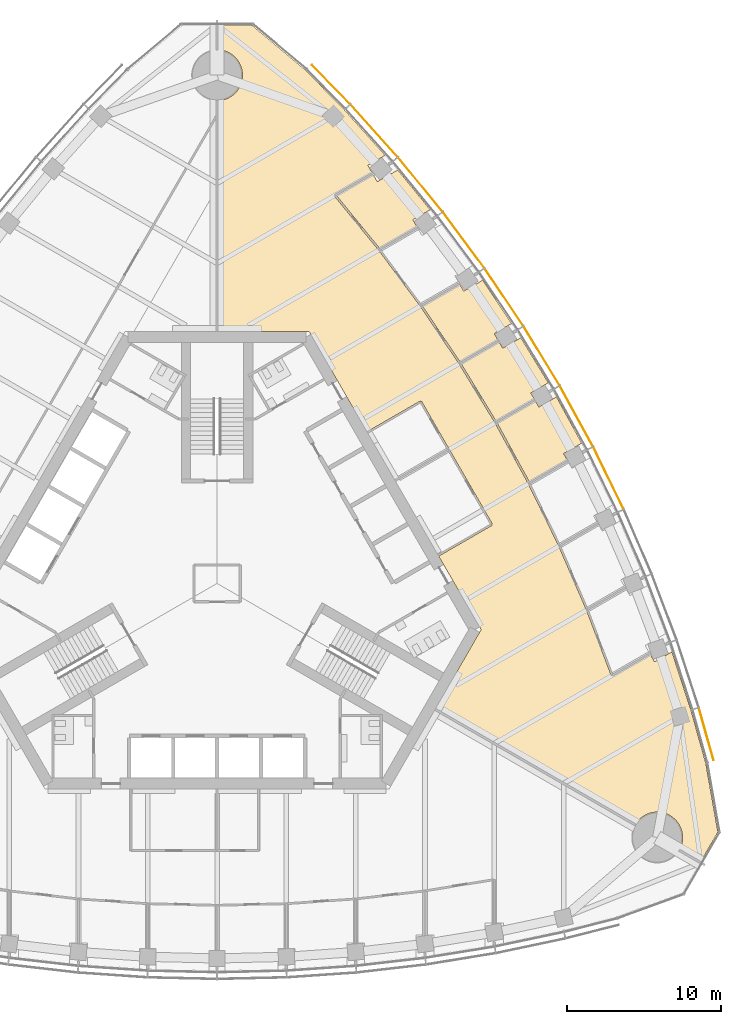
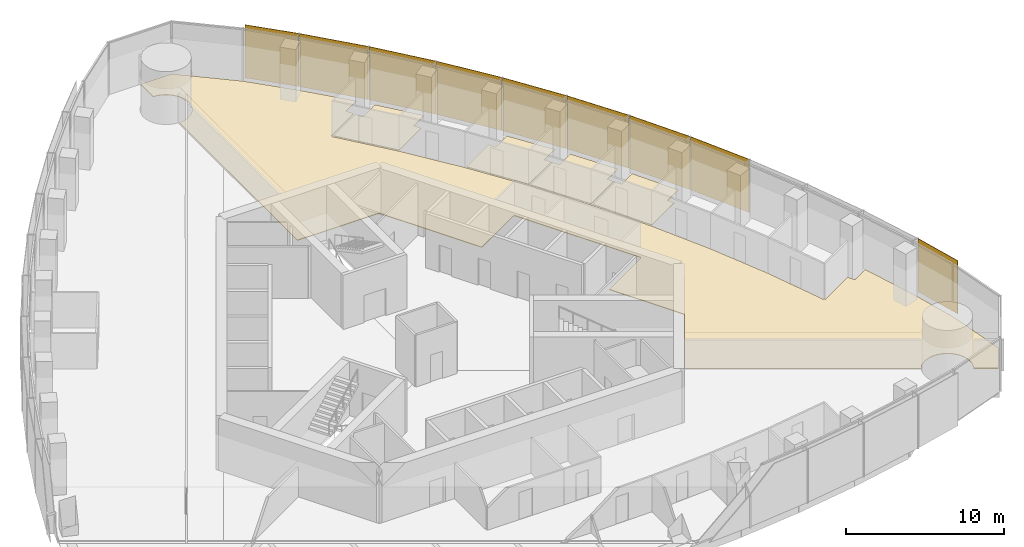
# One storey, part 18 of 20: 9 shading devices, 5 coverings.
"""IFC4 building model written with IfcOpenShell, lengths in metres."""

from ifc_helpers import new_model, si_unit, direction, frame, origin, origin_2d, place, context, subcontext, project, spatial, polyline, rectangle, outline, extrude, material, layer, layer_set, type_object, element, save


model = new_model("IFC4")

# Units and contexts
model_context = context("Model", 3, precision=1e-05, world=origin(), true_north=direction((0.0, 1.0)))
body_context = subcontext(model_context, "Body", "Model", "MODEL_VIEW")
ifc_project = project(units=[si_unit("LENGTHUNIT", "METRE"), si_unit("AREAUNIT", "SQUARE_METRE"), si_unit("VOLUMEUNIT", "CUBIC_METRE"), si_unit("PLANEANGLEUNIT", "RADIAN"), si_unit("MASSUNIT", "GRAM", prefix="KILO")], contexts=[model_context])

# Site, building, storey
site_placement = place(None, origin())
site = spatial("IfcSite", under=ifc_project, at=site_placement, CompositionType="ELEMENT")
building_placement = place(site_placement, origin())
building = spatial("IfcBuilding", under=site, at=building_placement, Name="Trefoil Bronze Tower", CompositionType="ELEMENT")
storey_placement = place(building_placement, frame((0.0, 0.0, 231.699951171875)))
storey = spatial("IfcBuildingStorey", under=building, at=storey_placement, Name="L53", CompositionType="ELEMENT", Elevation=231.699951171875)

# Shading devices
ifc_material_1 = material(Name="Perforated bronze sheet", Category="bronze")
ifc_layer_1 = layer(ifc_material_1, 0.0400390625)
ifc_layer_set_1 = layer_set([ifc_layer_1], Name="Bronze solar screen panel")
shading_device_type = type_object("IfcShadingDeviceType", Name="Bronze solar screen panel", PredefinedType="SHUTTER", material=ifc_layer_set_1)
shading_device_1_placement = place(storey_placement, frame((31.764892578125, -9.7890625, 0.050048828125), z_axis=(0.0, 0.0, 1.0), x_axis=(-0.270282222968, 0.962781138134, 0.0)))
element("IfcShadingDevice", 1, at=shading_device_1_placement, inside=storey, type_object=shading_device_type, Name="Solar screen CW-A L53 F2 bay 1", PredefinedType="SHUTTER", context=body_context, shape_type="SweptSolid", body=[
    extrude(rectangle(XDim=3.53369140625, YDim=0.0400390625, at=origin_2d()), origin(), (0.0, 0.0, 1.0), 4.10009765625),
])
shading_device_2_placement = place(storey_placement, frame((25.4169921875, 6.83740234375, 0.050048828125), z_axis=(0.0, 0.0, 1.0), x_axis=(-0.439129033334, 0.898424004623, 0.0)))
element("IfcShadingDevice", 2, at=shading_device_2_placement, inside=storey, type_object=shading_device_type, Name="Solar screen CW-A L53 F2 bay 5", PredefinedType="SHUTTER", context=body_context, shape_type="SweptSolid", body=[
    extrude(rectangle(XDim=4.480712890625, YDim=0.0400390625, at=origin_2d()), origin(), (0.0, 0.0, 1.0), 4.10009765625),
])
for number, where, z_axis, x_axis, name in (
    (3, (23.3349609375, 10.860107421875, 0.050048828125), (0.0, 0.0, 1.0), (-0.479974003504, 0.877282711536, 0.0), "Solar screen CW-A L53 F2 bay 6"),
    (4, (21.07275390625, 14.77880859375, 0.050048828125), (0.0, 0.0, 1.0), (-0.519762112739, 0.854311035959, 0.0), "Solar screen CW-A L53 F2 bay 7"),
):
    element("IfcShadingDevice", number, at=place(storey_placement, frame(where, z_axis=z_axis, x_axis=x_axis)), inside=storey, type_object=shading_device_type, Name=name, PredefinedType="SHUTTER", context=body_context, shape_type="SweptSolid", body=[
        extrude(rectangle(XDim=4.47119140625, YDim=0.0400390625, at=origin_2d()), origin(), (0.0, 0.0, 1.0), 4.10009765625),
    ])
shading_device_3_placement = place(storey_placement, frame((18.6298828125, 18.59326171875, 0.050048828125), z_axis=(0.0, 0.0, 1.0), x_axis=(-0.558493494706, 0.829508900718, 0.0)))
element("IfcShadingDevice", 5, at=shading_device_3_placement, inside=storey, type_object=shading_device_type, Name="Solar screen CW-A L53 F2 bay 8", PredefinedType="SHUTTER", context=body_context, shape_type="SweptSolid", body=[
    extrude(rectangle(XDim=4.480712890625, YDim=0.0400390625, at=origin_2d()), origin(), (0.0, 0.0, 1.0), 4.10009765625),
])
shading_device_4_placement = place(storey_placement, frame((16.005615234375, 22.302734375, 0.050048828125), z_axis=(0.0, 0.0, 1.0), x_axis=(-0.596161525977, 0.802864518425, 0.0)))
element("IfcShadingDevice", 6, at=shading_device_4_placement, inside=storey, type_object=shading_device_type, Name="Solar screen CW-A L53 F2 bay 9", PredefinedType="SHUTTER", context=body_context, shape_type="SweptSolid", body=[
    extrude(rectangle(XDim=4.5, YDim=0.0400390625, at=origin_2d()), origin(), (0.0, 0.0, 1.0), 4.10009765625),
])
shading_device_5_placement = place(storey_placement, frame((13.197509765625, 25.90625, 0.050048828125), z_axis=(0.0, 0.0, 1.0), x_axis=(-0.63275261301, 0.774354008661, 0.0)))
element("IfcShadingDevice", 7, at=shading_device_5_placement, inside=storey, type_object=shading_device_type, Name="Solar screen CW-A L53 F2 bay 10", PredefinedType="SHUTTER", context=body_context, shape_type="SweptSolid", body=[
    extrude(rectangle(XDim=4.529296875, YDim=0.0400390625, at=origin_2d()), origin(), (0.0, 0.0, 1.0), 4.10009765625),
])
shading_device_6_placement = place(storey_placement, frame((10.20166015625, 29.401611328125, 0.050048828125), z_axis=(0.0, 0.0, 1.0), x_axis=(-0.668245744076, 0.743940606181, 0.0)))
element("IfcShadingDevice", 8, at=shading_device_6_placement, inside=storey, type_object=shading_device_type, Name="Solar screen CW-A L53 F2 bay 11", PredefinedType="SHUTTER", context=body_context, shape_type="SweptSolid", body=[
    extrude(rectangle(XDim=4.5693359375, YDim=0.0400390625, at=origin_2d()), origin(), (0.0, 0.0, 1.0), 4.10009765625),
])
shading_device_7_placement = place(storey_placement, frame((7.40478515625, 32.40380859375, 0.050048828125), z_axis=(0.0, 0.0, 1.0), x_axis=(-0.698651812425, 0.715461840349, 0.0)))
element("IfcShadingDevice", 9, at=shading_device_7_placement, inside=storey, type_object=shading_device_type, Name="Solar screen CW-A L53 F2 bay 12", PredefinedType="SHUTTER", context=body_context, shape_type="SweptSolid", body=[
    extrude(rectangle(XDim=3.53369140625, YDim=0.0400390625, at=origin_2d()), origin(), (0.0, 0.0, 1.0), 4.10009765625),
])

# Coverings
ifc_material_2 = material(Name="Raised access floor panels", Category="steel")
ifc_layer_2 = layer(ifc_material_2, 0.050048828125)
ifc_layer_set_2 = layer_set([ifc_layer_2], Name="Raised access floor 150")
covering_type = type_object("IfcCoveringType", Name="Raised access floor 150", PredefinedType="FLOORING", material=ifc_layer_set_2)
covering_1_placement = place(storey_placement, frame((0.0, 0.0, 0.10009765625)))
element("IfcCovering", 10, at=covering_1_placement, inside=storey, type_object=covering_type, Name="Raised floor L53 Office F2", PredefinedType="FLOORING", context=body_context, shape_type="SweptSolid", body=[
    extrude(outline(polyline([(13.84130859375, 24.264892578125), (12.71142578125, 23.61279296875), (12.978271484375, 23.150634765625), (10.555419921875, 21.751708984375), (7.747314453125, 25.188232421875), (10.130615234375, 26.564208984375), (10.4072265625, 26.084716796875), (11.730224609375, 26.848388671875), (13.84130859375, 24.264892578125)])), origin(), (0.0, 0.0, 1.0), 0.050048828125),
])
covering_2_placement = place(storey_placement, frame((0.0, 0.0, 0.10009765625)))
element("IfcCovering", 11, at=covering_2_placement, inside=storey, type_object=covering_type, Name="Raised floor L53 Office F2", PredefinedType="FLOORING", context=body_context, shape_type="SweptSolid", body=[
    extrude(outline(polyline([(19.1337890625, 16.877685546875), (17.997314453125, 16.221435546875), (18.27197265625, 15.74560546875), (18.266845703125, 15.742431640625), (18.23681640625, 15.79443359375), (15.779296875, 14.375732421875), (13.327392578125, 18.017578125), (15.760986328125, 19.422607421875), (16.01708984375, 18.979248046875), (17.24267578125, 19.686767578125), (19.1337890625, 16.877685546875)])), origin(), (0.0, 0.0, 1.0), 0.050048828125),
])
covering_3_placement = place(storey_placement, frame((0.0, 0.0, 0.10009765625)))
element("IfcCovering", 12, at=covering_3_placement, inside=storey, type_object=covering_type, Name="Raised floor L53 Office F2", PredefinedType="FLOORING", context=body_context, shape_type="SweptSolid", body=[
    extrude(outline(polyline([(20.607666015625, 11.897705078125), (20.57763671875, 11.94970703125), (18.121337890625, 10.531494140625), (15.843994140625, 14.2744140625), (18.296875, 15.690673828125), (18.266845703125, 15.742431640625), (18.27197265625, 15.74560546875), (18.546875, 15.26953125), (19.727294921875, 15.951171875), (21.507568359375, 13.02490234375), (20.36962890625, 12.367919921875), (20.6328125, 11.912353515625), (20.607666015625, 11.897705078125)])), origin(), (0.0, 0.0, 1.0), 0.050048828125),
])
covering_4_placement = place(storey_placement, frame((0.0, 0.0, 0.10009765625)))
element("IfcCovering", 13, at=covering_4_placement, inside=storey, type_object=covering_type, Name="Raised floor L53 Office F2", PredefinedType="FLOORING", context=body_context, shape_type="SweptSolid", body=[
    extrude(outline(polyline([(22.766845703125, 7.9482421875), (22.73681640625, 8.000244140625), (20.2841796875, 6.584228515625), (18.181396484375, 10.427734375), (20.6376953125, 11.845947265625), (20.607666015625, 11.897705078125), (20.6328125, 11.912353515625), (20.895751953125, 11.456787109375), (22.03369140625, 12.11376953125), (23.677734375, 9.10888671875), (22.497314453125, 8.42724609375), (22.77197265625, 7.951416015625), (22.766845703125, 7.9482421875)])), origin(), (0.0, 0.0, 1.0), 0.050048828125),
])
covering_5_placement = place(storey_placement, frame((0.0, 0.0, 0.10009765625)))
element("IfcCovering", 14, at=covering_5_placement, inside=storey, type_object=covering_type, Name="Raised floor L53 Open-plan office F2", PredefinedType="FLOORING", context=body_context, shape_type="SweptSolid", body=[
    extrude(outline(polyline([(5.7734375, 33.30126953125), (8.26318359375, 30.751708984375), (10.91748046875, 27.796630859375), (9.793701171875, 27.147705078125), (10.070556640625, 26.668212890625), (7.626220703125, 25.2568359375), (7.65625, 25.204833984375), (7.609619140625, 25.1669921875), (10.493896484375, 21.637451171875), (13.192626953125, 18.002685546875), (15.71044921875, 14.263427734375), (18.048583984375, 10.42041015625), (20.20751953125, 6.473876953125), (22.187255859375, 2.423828125), (23.985595703125, -1.73095703125), (25.60009765625, -5.993408203125), (25.65625, -5.971923828125), (25.686279296875, -6.02392578125), (28.130615234375, -4.61279296875), (28.4072265625, -5.09228515625), (29.531494140625, -4.443359375), (30.76318359375, -8.219482421875), (31.7265625, -11.650634765625), (32.518310546875, -16.1416015625), (31.385009765625, -18.1044921875), (30.013916015625, -17.3134765625), (30.033935546875, -17.27783203125), (30.0703125, -17.20556640625), (30.103271484375, -17.13134765625), (30.13232421875, -17.055908203125), (30.15771484375, -16.97900390625), (30.179443359375, -16.90087890625), (30.197021484375, -16.822021484375), (30.2109375, -16.7421875), (30.220947265625, -16.66162109375), (30.226806640625, -16.5810546875), (30.228759765625, -16.5), (30.226806640625, -16.4189453125), (30.220947265625, -16.33837890625), (30.2109375, -16.2578125), (30.197021484375, -16.177978515625), (30.179443359375, -16.09912109375), (30.15771484375, -16.02099609375), (30.13232421875, -15.944091796875), (30.103271484375, -15.86865234375), (30.0703125, -15.79443359375), (30.033935546875, -15.72216796875), (29.994140625, -15.651611328125), (29.95068359375, -15.583251953125), (29.904052734375, -15.51708984375), (29.854248046875, -15.453369140625), (29.801513671875, -15.391845703125), (29.74560546875, -15.333251953125), (29.68701171875, -15.27734375), (29.62548828125, -15.224609375), (29.561767578125, -15.1748046875), (29.49560546875, -15.128173828125), (29.427001953125, -15.084716796875), (29.356689453125, -15.044921875), (29.2841796875, -15.00830078125), (29.210205078125, -14.9755859375), (29.134765625, -14.946533203125), (29.057861328125, -14.9208984375), (28.979736328125, -14.8994140625), (28.900634765625, -14.881591796875), (28.82080078125, -14.867919921875), (28.740478515625, -14.85791015625), (28.659912109375, -14.85205078125), (28.578857421875, -14.85009765625), (28.497802734375, -14.85205078125), (28.4169921875, -14.85791015625), (28.336669921875, -14.867919921875), (28.2568359375, -14.881591796875), (28.177978515625, -14.8994140625), (28.099853515625, -14.9208984375), (28.02294921875, -14.946533203125), (27.947509765625, -14.9755859375), (27.873291015625, -15.00830078125), (27.801025390625, -15.044921875), (27.730712890625, -15.084716796875), (27.662109375, -15.128173828125), (27.595947265625, -15.1748046875), (27.531982421875, -15.224609375), (27.470703125, -15.27734375), (27.412109375, -15.333251953125), (27.356201171875, -15.391845703125), (27.303466796875, -15.453369140625), (27.25341796875, -15.51708984375), (27.206787109375, -15.583251953125), (27.156005859375, -15.6650390625), (14.16259765625, -8.169677734375), (17.147216796875, -3.0), (14.391357421875, 1.773193359375), (17.85546875, 3.773193359375), (17.825439453125, 3.8251953125), (17.87744140625, 3.855224609375), (13.277587890625, 11.82275390625), (13.2255859375, 11.792724609375), (13.195556640625, 11.8447265625), (9.7314453125, 9.8447265625), (5.9755859375, 16.35009765625), (0.006103515625, 16.35009765625), (0.01171875, 31.350341796875), (0.0810546875, 31.35205078125), (0.16162109375, 31.35791015625), (0.2421875, 31.367919921875), (0.322021484375, 31.381591796875), (0.40087890625, 31.3994140625), (0.47900390625, 31.4208984375), (0.555908203125, 31.446533203125), (0.63134765625, 31.4755859375), (0.70556640625, 31.50830078125), (0.77783203125, 31.544921875), (0.848388671875, 31.584716796875), (0.916748046875, 31.628173828125), (0.98291015625, 31.6748046875), (1.046630859375, 31.724609375), (1.108154296875, 31.77734375), (1.166748046875, 31.833251953125), (1.22265625, 31.891845703125), (1.275390625, 31.953369140625), (1.3251953125, 32.01708984375), (1.371826171875, 32.083251953125), (1.415283203125, 32.151611328125), (1.455078125, 32.22216796875), (1.49169921875, 32.29443359375), (1.5244140625, 32.36865234375), (1.553466796875, 32.444091796875), (1.5791015625, 32.52099609375), (1.6005859375, 32.59912109375), (1.618408203125, 32.677978515625), (1.632080078125, 32.7578125), (1.64208984375, 32.83837890625), (1.64794921875, 32.9189453125), (1.64990234375, 33.0), (1.64794921875, 33.0810546875), (1.64208984375, 33.16162109375), (1.632080078125, 33.2421875), (1.618408203125, 33.322021484375), (1.6005859375, 33.40087890625), (1.5791015625, 33.47900390625), (1.553466796875, 33.555908203125), (1.5244140625, 33.63134765625), (1.49169921875, 33.70556640625), (1.455078125, 33.77783203125), (1.415283203125, 33.848388671875), (1.371826171875, 33.916748046875), (1.3251953125, 33.98291015625), (1.275390625, 34.046630859375), (1.22265625, 34.108154296875), (1.166748046875, 34.166748046875), (1.108154296875, 34.22265625), (1.046630859375, 34.275390625), (0.98291015625, 34.3251953125), (0.916748046875, 34.371826171875), (0.848388671875, 34.415283203125), (0.77783203125, 34.455078125), (0.70556640625, 34.49169921875), (0.63134765625, 34.5244140625), (0.555908203125, 34.553466796875), (0.47900390625, 34.5791015625), (0.40087890625, 34.6005859375), (0.322021484375, 34.618408203125), (0.2421875, 34.632080078125), (0.16162109375, 34.64208984375), (0.0810546875, 34.64794921875), (0.012939453125, 34.649658203125), (0.013671875, 36.232666015625), (2.280029296875, 36.232666015625), (5.7734375, 33.30126953125)])), origin(), (0.0, 0.0, 1.0), 0.050048828125),
])

save(model, "model.ifc")
